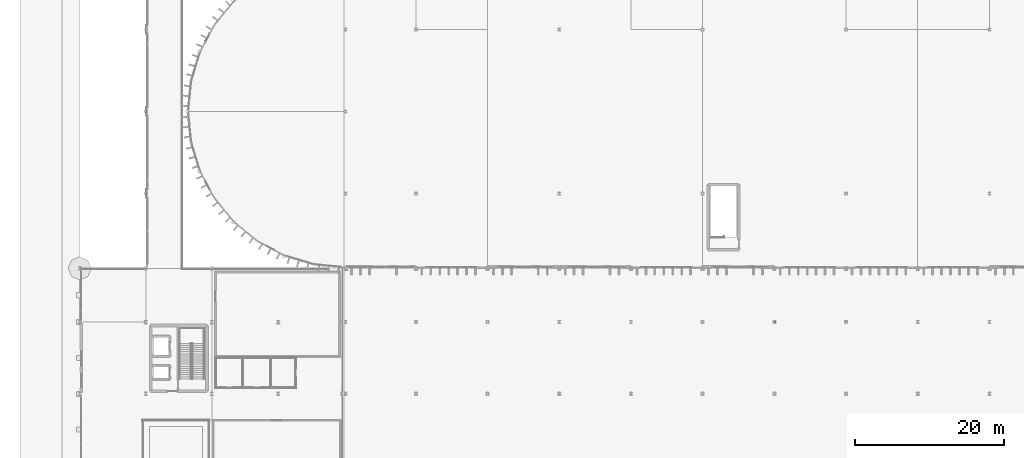
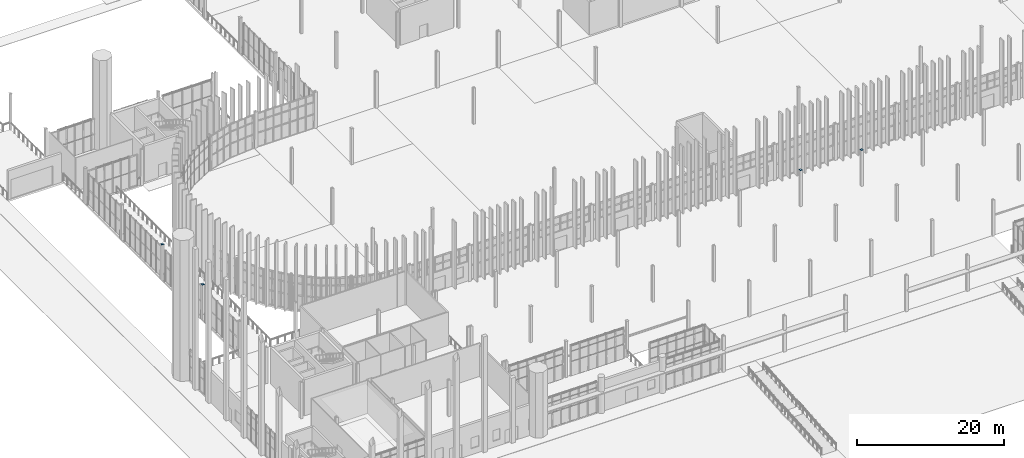
# One storey, part 94 of 139: 4 plates.
"""IFC4 building model written with IfcOpenShell, lengths in metres."""

from ifc_helpers import new_model, si_unit, direction, frame, origin, origin_2d, place, context, subcontext, project, spatial, rectangle, extrude, material, layer, layer_set, type_object, element, save


model = new_model("IFC4")

# Units and contexts
model_context = context("Model", 3, precision=1e-05, world=origin(), true_north=direction((0.0, 1.0)))
body_context = subcontext(model_context, "Body", "Model", "MODEL_VIEW")
ifc_project = project(units=[si_unit("LENGTHUNIT", "METRE"), si_unit("AREAUNIT", "SQUARE_METRE"), si_unit("VOLUMEUNIT", "CUBIC_METRE"), si_unit("PLANEANGLEUNIT", "RADIAN"), si_unit("MASSUNIT", "GRAM", prefix="KILO")], contexts=[model_context])

# Site, building, storey
site_placement = place(None, origin())
site = spatial("IfcSite", under=ifc_project, at=site_placement, CompositionType="ELEMENT")
building_placement = place(site_placement, origin())
building = spatial("IfcBuilding", under=site, at=building_placement, Name="Yeouljin Market Hall", CompositionType="ELEMENT")
storey_placement = place(building_placement, origin())
storey = spatial("IfcBuildingStorey", under=building, at=storey_placement, Name="L00", CompositionType="ELEMENT", Elevation=0.0)

# Plates
ifc_material = material(Name="Steel SM355", Category="steel")
ifc_layer = layer(ifc_material, 0.01611328125)
ifc_layer_set = layer_set([ifc_layer], Name="Steel SM355")
plate_type = type_object("IfcPlateType", Name="CapPlate_360x360x16", PredefinedType="SHEET", material=ifc_layer_set)
for number, where, z_axis, x_axis, name in (
    (1, (8.85009765625, 46.0, 6.0), (0.0, 0.0, 1.0), (1.0, 0.0, 0.0), "Hollow column top cap plate G-01-05 (L00)"),
    (2, (8.85009765625, 57.0, 6.0), (0.0, 0.0, 1.0), (1.0, 0.0, 0.0), "Hollow column top cap plate G-01-06 (L00)"),
    (3, (93.0, 28.800048828125, 6.0), (0.0, 0.0, 1.0), (1.0, 0.0, 0.0), "Hollow column top cap plate G-11-03 (L00)"),
    (4, (102.60009765625, 28.800048828125, 6.0), (0.0, 0.0, 1.0), (1.0, 0.0, 0.0), "Hollow column top cap plate G-12-03 (L00)"),
):
    element("IfcPlate", number, at=place(storey_placement, frame(where, z_axis=z_axis, x_axis=x_axis)), inside=storey, type_object=plate_type, Name=name, PredefinedType="SHEET", context=body_context, shape_type="SweptSolid", body=[
        extrude(rectangle(XDim=0.360107421875, YDim=0.360107421875, at=origin_2d()), origin(), (0.0, 0.0, 1.0), 0.01611328125),
    ])

save(model, "model.ifc")
